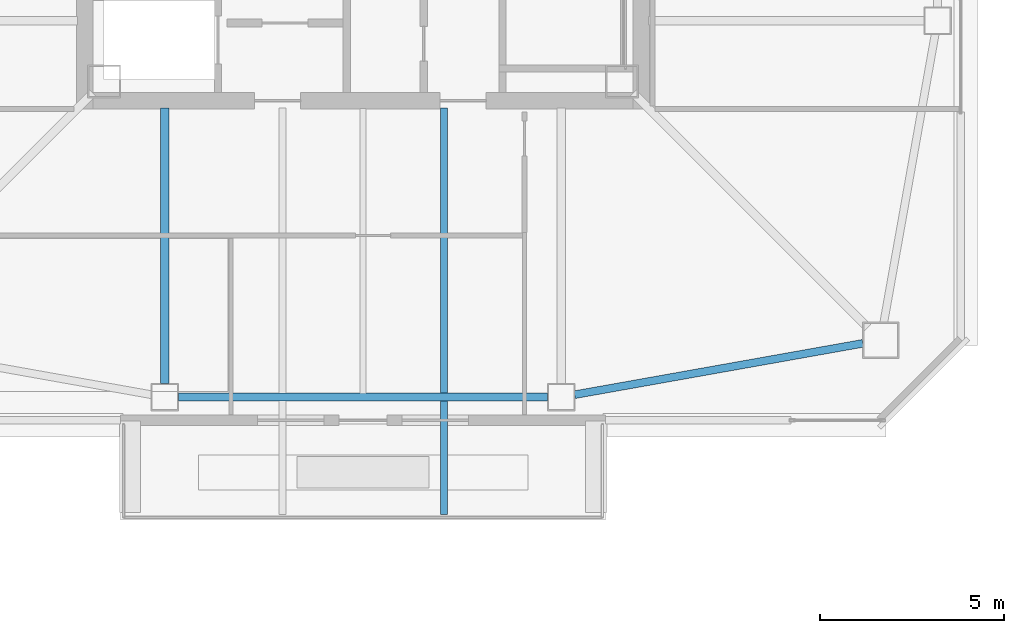
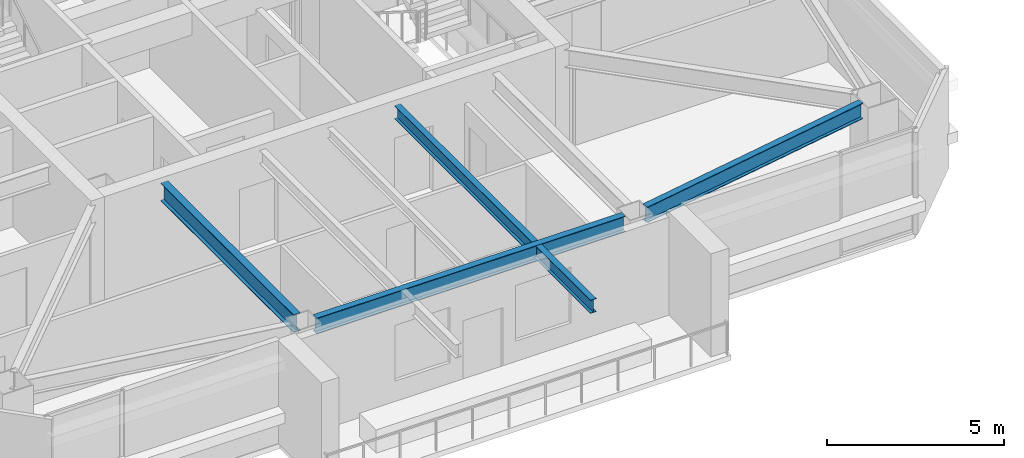
# One storey, part 6 of 40: 4 beams.
"""IFC4 building model written with IfcOpenShell, lengths in metres."""

import ifcopenshell
import ifcopenshell.guid

model = None  # the IFC model being written
_history = None  # IfcOwnerHistory: only IFC2X3 demands one
_inside = {}  # id of a spatial element -> (the spatial element, [elements in it])
_under = {}  # id of a project, library or spatial element -> (it, [spatial elements below it])
_declared = {}  # id of a project -> (the project, [libraries it declares])
_typed = {}  # id of a type object -> (the type object, [elements of that type])
_made_of = {}  # id of a material, layer set ... -> (it, [elements and type objects made of it])


def new_model(schema):
    """Start an empty IFC model of exactly this schema.

    Asked for "IFC4X3", IfcOpenShell would pick the latest addendum, in which some entities
    have other attributes; the version numbers below select the first issue.
    IFC2X3 requires an IfcOwnerHistory on every rooted entity: one is made here for all.
    """
    global model, _history
    if schema == "IFC4X3":
        model = ifcopenshell.file(schema_version=(4, 3, 0, 0))
    else:
        model = ifcopenshell.file(schema=schema)
    _inside.clear()
    _under.clear()
    _declared.clear()
    _typed.clear()
    _made_of.clear()
    _history = None
    if model.schema == "IFC2X3":
        org = make("IfcOrganization", Name="unknown")
        user = make(
            "IfcPersonAndOrganization",
            ThePerson=make("IfcPerson", FamilyName="unknown"),
            TheOrganization=org,
        )
        app = make(
            "IfcApplication",
            ApplicationDeveloper=org,
            Version="unknown",
            ApplicationFullName="unknown",
            ApplicationIdentifier="unknown",
        )
        _history = make(
            "IfcOwnerHistory",
            OwningUser=user,
            OwningApplication=app,
            ChangeAction="ADDED",
            CreationDate=0,
        )
    return model


def make(cls, **values):
    """One entity of the class cls with the attributes given. An attribute that is None is left unset."""
    return model.create_entity(
        cls, **{name: value for name, value in values.items() if value is not None}
    )


def rooted(cls, **values):
    """An entity with a GlobalId (a new one), such as an element, a storey or a relation."""
    return make(cls, GlobalId=ifcopenshell.guid.new(), OwnerHistory=_history, **values)


def si_unit(unit_type, name, prefix=None):
    """IfcSIUnit, for example si_unit("LENGTHUNIT", "METRE", prefix="MILLI")."""
    return make("IfcSIUnit", UnitType=unit_type, Prefix=prefix, Name=name)


def assignment(units):
    """IfcUnitAssignment: the units of a project."""
    return None if units is None else make("IfcUnitAssignment", Units=units)


def point(xyz):
    """IfcCartesianPoint."""
    return None if xyz is None else make("IfcCartesianPoint", Coordinates=xyz)


def direction(xyz):
    """IfcDirection."""
    return None if xyz is None else make("IfcDirection", DirectionRatios=xyz)


def frame(location, z_axis=None, x_axis=None):
    """IfcAxis2Placement3D, a coordinate frame: its origin and axes. An axis left out is left unset."""
    return make(
        "IfcAxis2Placement3D",
        Location=point(location),
        Axis=direction(z_axis),
        RefDirection=direction(x_axis),
    )


def frame_2d(location, x_axis=None):
    """IfcAxis2Placement2D, a coordinate frame in the plane: its origin and x axis."""
    return make(
        "IfcAxis2Placement2D", Location=point(location), RefDirection=direction(x_axis)
    )


def origin():
    """The frame at (0, 0, 0) with its axes left unset."""
    return frame((0.0, 0.0, 0.0))


def origin_2d():
    """The frame at (0, 0) in the plane with its x axis left unset."""
    return frame_2d((0.0, 0.0))


def place(relative_to, where):
    """IfcLocalPlacement: puts the frame where relative to a parent placement (None: the world)."""
    return make(
        "IfcLocalPlacement", PlacementRelTo=relative_to, RelativePlacement=where
    )


def context(
    kind, dimensions, precision=None, world=None, true_north=None, identifier=None
):
    """IfcGeometricRepresentationContext, for example the 3D "Model" context."""
    return make(
        "IfcGeometricRepresentationContext",
        ContextIdentifier=identifier,
        ContextType=kind,
        CoordinateSpaceDimension=dimensions,
        Precision=precision,
        WorldCoordinateSystem=world,
        TrueNorth=true_north,
    )


def subcontext(parent, identifier, kind, view, scale=None):
    """IfcGeometricRepresentationSubContext, for example "Body" below "Model"."""
    return make(
        "IfcGeometricRepresentationSubContext",
        ContextIdentifier=identifier,
        ContextType=kind,
        ParentContext=parent,
        TargetScale=scale,
        TargetView=view,
    )


def project(units=None, contexts=None):
    """IfcProject with its units and contexts."""
    return rooted(
        "IfcProject",
        Name="project",
        RepresentationContexts=contexts,
        UnitsInContext=assignment(units),
    )


def spatial(cls, under=None, at=None, **own):
    """A site, building, storey or space (cls), placed at a placement, below another one or the project."""
    s = rooted(cls, ObjectPlacement=at, **own)
    if under is not None:
        _under.setdefault(under.id(), (under, []))[1].append(s)
    return s


def profile(cls, at=None, kind="AREA", **sizes):
    """A parametric profile (cls). Its sizes go by their IFC names, for example OverallWidth=200.0."""
    return make(cls, ProfileType=kind, Position=at, **sizes)


def i_section(**sizes):
    """IfcIShapeProfileDef."""
    return profile("IfcIShapeProfileDef", **sizes)


def extrude(swept, where, along, depth):
    """IfcExtrudedAreaSolid: the profile swept, set in the frame where, extruded along a direction by depth."""
    return make(
        "IfcExtrudedAreaSolid",
        SweptArea=swept,
        Position=where,
        ExtrudedDirection=direction(along),
        Depth=depth,
    )


def shape(context_of_items, identifier, shape_type, items):
    """IfcShapeRepresentation: the items that make up one representation, for example the "Body"."""
    return make(
        "IfcShapeRepresentation",
        ContextOfItems=context_of_items,
        RepresentationIdentifier=identifier,
        RepresentationType=shape_type,
        Items=items,
    )


def material(Name=None, Category=None):
    """IfcMaterial."""
    return make("IfcMaterial", Name=Name, Category=Category)


def material_profile(
    of_material, cross_section, Name=None, Category=None, Priority=None
):
    """IfcMaterialProfile: a cross section and its material."""
    return make(
        "IfcMaterialProfile",
        Name=Name,
        Material=of_material,
        Profile=cross_section,
        Priority=Priority,
        Category=Category,
    )


def profile_set(profiles, Name=None, composite=None):
    """IfcMaterialProfileSet."""
    return make(
        "IfcMaterialProfileSet",
        Name=Name,
        MaterialProfiles=profiles,
        CompositeProfile=composite,
    )


def made_of(thing, what):
    """Note that an element or type object is made of a material, layer set ...; save() writes the relation."""
    if what is not None:
        _made_of.setdefault(what.id(), (what, []))[1].append(thing)
    return thing


def type_object(cls, material=None, **own):
    """A type object (cls), such as IfcWallType, which elements share."""
    return made_of(rooted(cls, **own), material)


def element(
    cls,
    number,
    at=None,
    inside=None,
    cuts=None,
    type_object=None,
    material=None,
    context=None,
    identifier="Body",
    shape_type=None,
    held_by="IfcProductDefinitionShape",
    body=None,
    shapes=None,
    **own,
):
    """One element of the class cls, such as IfcWall. Its Tag is "e" and its number.

    at: its placement. inside: the storey or other place that contains it. cuts: it is an
    opening in that element (IfcRelVoidsElement). A single representation is given by context,
    identifier, shape_type and body (its items); several are given by shapes. held_by: the class
    of the entity that holds the representations. save() writes the other relations.
    """
    e = rooted(cls, Tag="e%d" % number, ObjectPlacement=at, **own)
    if body is not None:
        shapes = [shape(context, identifier, shape_type, body)]
    if shapes is not None:
        e.Representation = make(held_by, Representations=shapes)
    if inside is not None:
        _inside.setdefault(inside.id(), (inside, []))[1].append(e)
    if cuts is not None:
        rooted(
            "IfcRelVoidsElement", RelatingBuildingElement=cuts, RelatedOpeningElement=e
        )
    if type_object is not None:
        _typed.setdefault(type_object.id(), (type_object, []))[1].append(e)
    return made_of(e, material)


def aggregate(whole, parts):
    """IfcRelAggregates: a whole, such as a stair, and the parts it consists of."""
    return rooted("IfcRelAggregates", RelatingObject=whole, RelatedObjects=parts)


def save(model, path):
    """Write the relations noted so far, then the file.

    IfcRelAggregates (storeys below a building ...), IfcRelContainedInSpatialStructure (elements
    in a storey), IfcRelDefinesByType, IfcRelAssociatesMaterial and IfcRelDeclares: one each for
    every whole, place, type object, material and project.
    """
    for whole, parts in _under.values():
        aggregate(whole, parts)
    for where, things in _inside.values():
        rooted(
            "IfcRelContainedInSpatialStructure",
            RelatedElements=things,
            RelatingStructure=where,
        )
    for kind, things in _typed.values():
        rooted("IfcRelDefinesByType", RelatedObjects=things, RelatingType=kind)
    for what, things in _made_of.values():
        rooted("IfcRelAssociatesMaterial", RelatedObjects=things, RelatingMaterial=what)
    for by, libraries in _declared.values():
        rooted("IfcRelDeclares", RelatingContext=by, RelatedDefinitions=libraries)
    model.write(path)


model = new_model("IFC4")

# Units and contexts
model_context = context("Model", 3, precision=1e-05, world=origin(), true_north=direction((0.0, 1.0)))
body_context = subcontext(model_context, "Body", "Model", "MODEL_VIEW")
ifc_project = project(units=[si_unit("LENGTHUNIT", "METRE"), si_unit("AREAUNIT", "SQUARE_METRE"), si_unit("VOLUMEUNIT", "CUBIC_METRE"), si_unit("PLANEANGLEUNIT", "RADIAN"), si_unit("MASSUNIT", "GRAM", prefix="KILO")], contexts=[model_context])

# Site, building, storey
site_placement = place(None, origin())
site = spatial("IfcSite", under=ifc_project, at=site_placement, CompositionType="ELEMENT")
building_placement = place(site_placement, origin())
building = spatial("IfcBuilding", under=site, at=building_placement, Name="Tashvorn Skyway Center", CompositionType="ELEMENT")
storey_placement = place(building_placement, frame((0.0, 0.0, 221.949951171875)))
storey = spatial("IfcBuildingStorey", under=building, at=storey_placement, Name="L60", CompositionType="ELEMENT", Elevation=221.949951171875)

# Beams
ifc_material = material(Name="Steel ASTM A992 Grade 50", Category="steel")
ifc_material_profile_1 = material_profile(ifc_material, i_section(OverallWidth=0.22998046875, OverallDepth=0.616943359375, WebThickness=0.01318359375, FlangeThickness=0.022216796875, at=origin_2d()), Name="W24X94")
ifc_profile_set_1 = profile_set([ifc_material_profile_1], Name="Steel ASTM A992 Grade 50")
beam_type_1 = type_object("IfcBeamType", Name="BM-BEAM-W24X94", PredefinedType="BEAM", material=ifc_profile_set_1)
beam_1_placement = place(storey_placement, frame((36.60009765625, 16.719970703125, 3.0615234375), z_axis=(0.0, 1.0, 0.0), x_axis=(-1.0, 0.0, 0.0)))
element("IfcBeam", 1, at=beam_1_placement, inside=storey, type_object=beam_type_1, Name="Tower 1 L60 Primary Floor Girder FC-S1", PredefinedType="BEAM", context=body_context, shape_type="SweptSolid", body=[
    extrude(i_section(OverallWidth=0.22998046875, OverallDepth=0.616943359375, WebThickness=0.01318359375, FlangeThickness=0.022216796875, at=origin_2d()), origin(), (0.0, 0.0, 1.0), 7.5),
])
ifc_material_profile_2 = material_profile(ifc_material, i_section(OverallWidth=0.19091796875, OverallDepth=0.4599609375, WebThickness=0.010009765625, FlangeThickness=0.01611328125, at=origin_2d()), Name="W18X55")
ifc_profile_set_2 = profile_set([ifc_material_profile_2], Name="Steel ASTM A992 Grade 50")
beam_type_2 = type_object("IfcBeamType", Name="BM-JOIST-W18X55", PredefinedType="JOIST", material=ifc_profile_set_2)
beam_2_placement = place(storey_placement, frame((44.199951171875, 24.219970703125, 3.14013671875), z_axis=(0.0, -1.0, 0.0), x_axis=(1.0, 0.0, 0.0)))
element("IfcBeam", 2, at=beam_2_placement, inside=storey, type_object=beam_type_2, Name="Tower 1 L61 Terrace Cantilever Outlooker 2", PredefinedType="JOIST", context=body_context, shape_type="SweptSolid", body=[
    extrude(i_section(OverallWidth=0.19091796875, OverallDepth=0.4599609375, WebThickness=0.010009765625, FlangeThickness=0.01611328125, at=origin_2d()), origin(), (0.0, 0.0, 1.0), 11.070068359375),
])
ifc_material_profile_3 = material_profile(ifc_material, i_section(OverallWidth=0.2109375, OverallDepth=0.5390625, WebThickness=0.01171875, FlangeThickness=0.018798828125, at=origin_2d()), Name="W21X73")
ifc_profile_set_3 = profile_set([ifc_material_profile_3], Name="Steel ASTM A992 Grade 50")
beam_type_3 = type_object("IfcBeamType", Name="BM-SPANDREL-W21X73", PredefinedType="SPANDREL", material=ifc_profile_set_3)
beam_3_placement = place(storey_placement, frame((36.969970703125, 16.35009765625, 3.1005859375), z_axis=(1.0, 0.0, 0.0), x_axis=(0.0, 1.0, 0.0)))
element("IfcBeam", 3, at=beam_3_placement, inside=storey, type_object=beam_type_3, Name="Tower 1 L60 Spandrel Beam 02", PredefinedType="SPANDREL", context=body_context, shape_type="SweptSolid", body=[
    extrude(i_section(OverallWidth=0.2109375, OverallDepth=0.5390625, WebThickness=0.01171875, FlangeThickness=0.018798828125, at=origin_2d()), origin(), (0.0, 0.0, 1.0), 10.06005859375),
])
beam_4_placement = place(storey_placement, frame((47.76416015625, 16.414794921875, 3.1005859375), z_axis=(0.984494883191, 0.17541329759, 0.0), x_axis=(-0.17541329759, 0.984494883191, 0.0)))
element("IfcBeam", 4, at=beam_4_placement, inside=storey, type_object=beam_type_3, Name="Tower 1 L60 Spandrel Beam 03", PredefinedType="SPANDREL", context=body_context, shape_type="SweptSolid", body=[
    extrude(i_section(OverallWidth=0.2109375, OverallDepth=0.5390625, WebThickness=0.01171875, FlangeThickness=0.018798828125, at=origin_2d()), origin(), (0.0, 0.0, 1.0), 7.97216796875),
])

save(model, "model.ifc")
